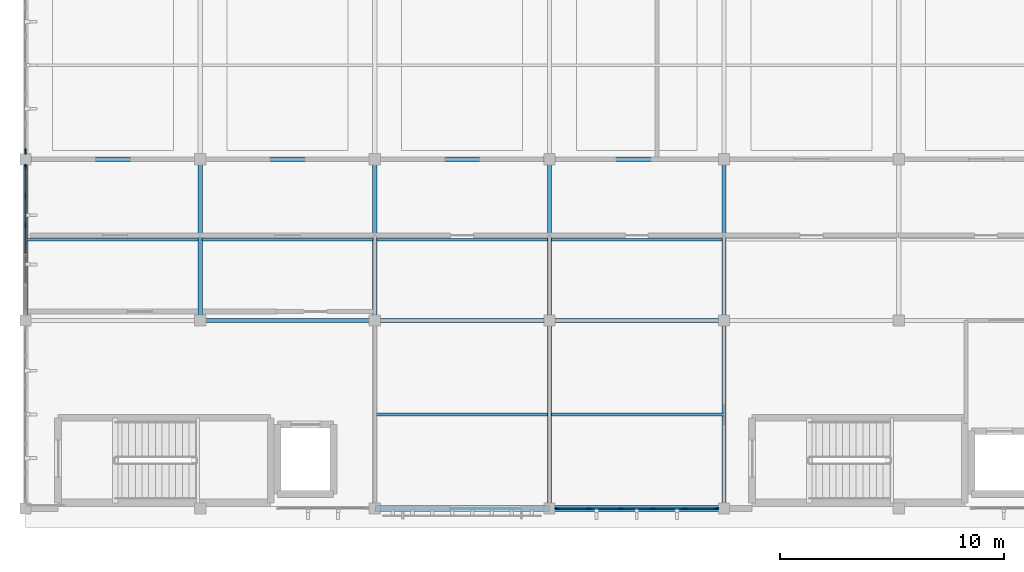
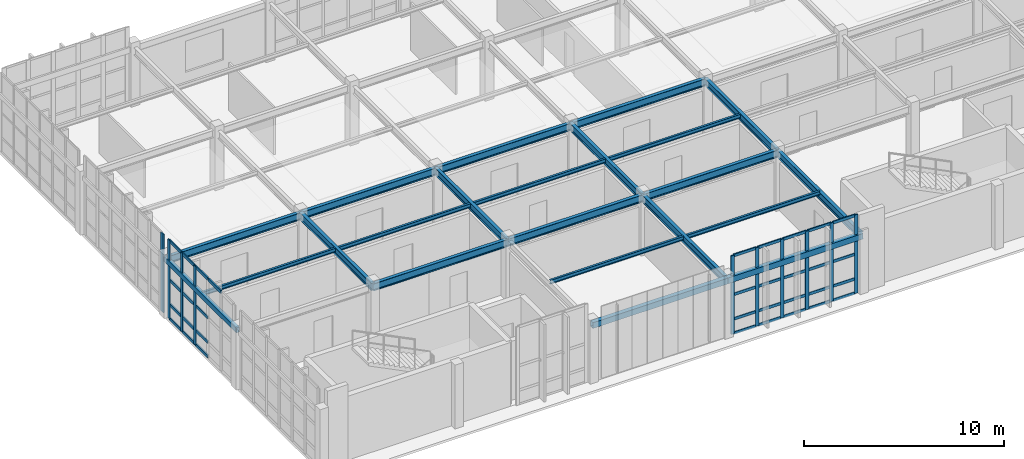
# One storey, part 2 of 20: 43 members, 22 beams, 3 elements without a shape of their own.
"""IFC4 building model written with IfcOpenShell, lengths in metres."""

import ifcopenshell
import ifcopenshell.guid

model = None  # the IFC model being written
_history = None  # IfcOwnerHistory: only IFC2X3 demands one
_inside = {}  # id of a spatial element -> (the spatial element, [elements in it])
_under = {}  # id of a project, library or spatial element -> (it, [spatial elements below it])
_declared = {}  # id of a project -> (the project, [libraries it declares])
_typed = {}  # id of a type object -> (the type object, [elements of that type])
_made_of = {}  # id of a material, layer set ... -> (it, [elements and type objects made of it])


def new_model(schema):
    """Start an empty IFC model of exactly this schema.

    Asked for "IFC4X3", IfcOpenShell would pick the latest addendum, in which some entities
    have other attributes; the version numbers below select the first issue.
    IFC2X3 requires an IfcOwnerHistory on every rooted entity: one is made here for all.
    """
    global model, _history
    if schema == "IFC4X3":
        model = ifcopenshell.file(schema_version=(4, 3, 0, 0))
    else:
        model = ifcopenshell.file(schema=schema)
    _inside.clear()
    _under.clear()
    _declared.clear()
    _typed.clear()
    _made_of.clear()
    _history = None
    if model.schema == "IFC2X3":
        org = make("IfcOrganization", Name="unknown")
        user = make(
            "IfcPersonAndOrganization",
            ThePerson=make("IfcPerson", FamilyName="unknown"),
            TheOrganization=org,
        )
        app = make(
            "IfcApplication",
            ApplicationDeveloper=org,
            Version="unknown",
            ApplicationFullName="unknown",
            ApplicationIdentifier="unknown",
        )
        _history = make(
            "IfcOwnerHistory",
            OwningUser=user,
            OwningApplication=app,
            ChangeAction="ADDED",
            CreationDate=0,
        )
    return model


def make(cls, **values):
    """One entity of the class cls with the attributes given. An attribute that is None is left unset."""
    return model.create_entity(
        cls, **{name: value for name, value in values.items() if value is not None}
    )


def rooted(cls, **values):
    """An entity with a GlobalId (a new one), such as an element, a storey or a relation."""
    return make(cls, GlobalId=ifcopenshell.guid.new(), OwnerHistory=_history, **values)


def si_unit(unit_type, name, prefix=None):
    """IfcSIUnit, for example si_unit("LENGTHUNIT", "METRE", prefix="MILLI")."""
    return make("IfcSIUnit", UnitType=unit_type, Prefix=prefix, Name=name)


def assignment(units):
    """IfcUnitAssignment: the units of a project."""
    return None if units is None else make("IfcUnitAssignment", Units=units)


def point(xyz):
    """IfcCartesianPoint."""
    return None if xyz is None else make("IfcCartesianPoint", Coordinates=xyz)


def direction(xyz):
    """IfcDirection."""
    return None if xyz is None else make("IfcDirection", DirectionRatios=xyz)


def frame(location, z_axis=None, x_axis=None):
    """IfcAxis2Placement3D, a coordinate frame: its origin and axes. An axis left out is left unset."""
    return make(
        "IfcAxis2Placement3D",
        Location=point(location),
        Axis=direction(z_axis),
        RefDirection=direction(x_axis),
    )


def frame_2d(location, x_axis=None):
    """IfcAxis2Placement2D, a coordinate frame in the plane: its origin and x axis."""
    return make(
        "IfcAxis2Placement2D", Location=point(location), RefDirection=direction(x_axis)
    )


def origin():
    """The frame at (0, 0, 0) with its axes left unset."""
    return frame((0.0, 0.0, 0.0))


def origin_2d():
    """The frame at (0, 0) in the plane with its x axis left unset."""
    return frame_2d((0.0, 0.0))


def place(relative_to, where):
    """IfcLocalPlacement: puts the frame where relative to a parent placement (None: the world)."""
    return make(
        "IfcLocalPlacement", PlacementRelTo=relative_to, RelativePlacement=where
    )


def context(
    kind, dimensions, precision=None, world=None, true_north=None, identifier=None
):
    """IfcGeometricRepresentationContext, for example the 3D "Model" context."""
    return make(
        "IfcGeometricRepresentationContext",
        ContextIdentifier=identifier,
        ContextType=kind,
        CoordinateSpaceDimension=dimensions,
        Precision=precision,
        WorldCoordinateSystem=world,
        TrueNorth=true_north,
    )


def subcontext(parent, identifier, kind, view, scale=None):
    """IfcGeometricRepresentationSubContext, for example "Body" below "Model"."""
    return make(
        "IfcGeometricRepresentationSubContext",
        ContextIdentifier=identifier,
        ContextType=kind,
        ParentContext=parent,
        TargetScale=scale,
        TargetView=view,
    )


def project(units=None, contexts=None):
    """IfcProject with its units and contexts."""
    return rooted(
        "IfcProject",
        Name="project",
        RepresentationContexts=contexts,
        UnitsInContext=assignment(units),
    )


def spatial(cls, under=None, at=None, **own):
    """A site, building, storey or space (cls), placed at a placement, below another one or the project."""
    s = rooted(cls, ObjectPlacement=at, **own)
    if under is not None:
        _under.setdefault(under.id(), (under, []))[1].append(s)
    return s


def profile(cls, at=None, kind="AREA", **sizes):
    """A parametric profile (cls). Its sizes go by their IFC names, for example OverallWidth=200.0."""
    return make(cls, ProfileType=kind, Position=at, **sizes)


def rectangle(**sizes):
    """IfcRectangleProfileDef."""
    return profile("IfcRectangleProfileDef", **sizes)


def hollow_rectangle(**sizes):
    """IfcRectangleHollowProfileDef."""
    return profile("IfcRectangleHollowProfileDef", **sizes)


def i_section(**sizes):
    """IfcIShapeProfileDef."""
    return profile("IfcIShapeProfileDef", **sizes)


def extrude(swept, where, along, depth):
    """IfcExtrudedAreaSolid: the profile swept, set in the frame where, extruded along a direction by depth."""
    return make(
        "IfcExtrudedAreaSolid",
        SweptArea=swept,
        Position=where,
        ExtrudedDirection=direction(along),
        Depth=depth,
    )


def shape(context_of_items, identifier, shape_type, items):
    """IfcShapeRepresentation: the items that make up one representation, for example the "Body"."""
    return make(
        "IfcShapeRepresentation",
        ContextOfItems=context_of_items,
        RepresentationIdentifier=identifier,
        RepresentationType=shape_type,
        Items=items,
    )


def material(Name=None, Category=None):
    """IfcMaterial."""
    return make("IfcMaterial", Name=Name, Category=Category)


def material_profile(
    of_material, cross_section, Name=None, Category=None, Priority=None
):
    """IfcMaterialProfile: a cross section and its material."""
    return make(
        "IfcMaterialProfile",
        Name=Name,
        Material=of_material,
        Profile=cross_section,
        Priority=Priority,
        Category=Category,
    )


def profile_set(profiles, Name=None, composite=None):
    """IfcMaterialProfileSet."""
    return make(
        "IfcMaterialProfileSet",
        Name=Name,
        MaterialProfiles=profiles,
        CompositeProfile=composite,
    )


def made_of(thing, what):
    """Note that an element or type object is made of a material, layer set ...; save() writes the relation."""
    if what is not None:
        _made_of.setdefault(what.id(), (what, []))[1].append(thing)
    return thing


def type_object(cls, material=None, **own):
    """A type object (cls), such as IfcWallType, which elements share."""
    return made_of(rooted(cls, **own), material)


def element(
    cls,
    number,
    at=None,
    inside=None,
    cuts=None,
    type_object=None,
    material=None,
    context=None,
    identifier="Body",
    shape_type=None,
    held_by="IfcProductDefinitionShape",
    body=None,
    shapes=None,
    **own,
):
    """One element of the class cls, such as IfcWall. Its Tag is "e" and its number.

    at: its placement. inside: the storey or other place that contains it. cuts: it is an
    opening in that element (IfcRelVoidsElement). A single representation is given by context,
    identifier, shape_type and body (its items); several are given by shapes. held_by: the class
    of the entity that holds the representations. save() writes the other relations.
    """
    e = rooted(cls, Tag="e%d" % number, ObjectPlacement=at, **own)
    if body is not None:
        shapes = [shape(context, identifier, shape_type, body)]
    if shapes is not None:
        e.Representation = make(held_by, Representations=shapes)
    if inside is not None:
        _inside.setdefault(inside.id(), (inside, []))[1].append(e)
    if cuts is not None:
        rooted(
            "IfcRelVoidsElement", RelatingBuildingElement=cuts, RelatedOpeningElement=e
        )
    if type_object is not None:
        _typed.setdefault(type_object.id(), (type_object, []))[1].append(e)
    return made_of(e, material)


def aggregate(whole, parts):
    """IfcRelAggregates: a whole, such as a stair, and the parts it consists of."""
    return rooted("IfcRelAggregates", RelatingObject=whole, RelatedObjects=parts)


def save(model, path):
    """Write the relations noted so far, then the file.

    IfcRelAggregates (storeys below a building ...), IfcRelContainedInSpatialStructure (elements
    in a storey), IfcRelDefinesByType, IfcRelAssociatesMaterial and IfcRelDeclares: one each for
    every whole, place, type object, material and project.
    """
    for whole, parts in _under.values():
        aggregate(whole, parts)
    for where, things in _inside.values():
        rooted(
            "IfcRelContainedInSpatialStructure",
            RelatedElements=things,
            RelatingStructure=where,
        )
    for kind, things in _typed.values():
        rooted("IfcRelDefinesByType", RelatedObjects=things, RelatingType=kind)
    for what, things in _made_of.values():
        rooted("IfcRelAssociatesMaterial", RelatedObjects=things, RelatingMaterial=what)
    for by, libraries in _declared.values():
        rooted("IfcRelDeclares", RelatingContext=by, RelatedDefinitions=libraries)
    model.write(path)


model = new_model("IFC4")

# Units and contexts
model_context = context("Model", 3, precision=1e-05, world=origin(), true_north=direction((0.0, 1.0)))
body_context = subcontext(model_context, "Body", "Model", "MODEL_VIEW")
ifc_project = project(units=[si_unit("LENGTHUNIT", "METRE"), si_unit("AREAUNIT", "SQUARE_METRE"), si_unit("VOLUMEUNIT", "CUBIC_METRE"), si_unit("PLANEANGLEUNIT", "RADIAN"), si_unit("MASSUNIT", "GRAM", prefix="KILO")], contexts=[model_context])

# Site, building, storey
site_placement = place(None, origin())
site = spatial("IfcSite", under=ifc_project, at=site_placement, CompositionType="ELEMENT")
building_placement = place(site_placement, origin())
building = spatial("IfcBuilding", under=site, at=building_placement, Name="Tizgana Railside Sports Hall", CompositionType="ELEMENT")
storey_placement = place(building_placement, frame((0.0, 0.0, 19.800048828125)))
storey = spatial("IfcBuildingStorey", under=building, at=storey_placement, Name="L04", CompositionType="ELEMENT", Elevation=19.800048828125)

# Curtain wall, members
ifc_material_1 = material(Name="Anodised aluminium and glass", Category="aluminium")
curtain_wall_type_1 = type_object("IfcCurtainWallType", Name="Unitised Curtain Wall EastHall 1500", PredefinedType="NOTDEFINED", material=ifc_material_1)
curtain_wall_1_placement = place(storey_placement, origin())
curtain_wall_1 = element("IfcCurtainWall", 1, at=curtain_wall_1_placement, inside=storey, type_object=curtain_wall_type_1, Name="L04 Curtain Wall CW-0135", PredefinedType="NOTDEFINED")
ifc_material_2 = material(Name="Anodised aluminium", Category="aluminium")
ifc_material_profile_1 = material_profile(ifc_material_2, rectangle(XDim=0.06494140625, YDim=0.199951171875, at=origin_2d()), Name="Mullion 65x200")
ifc_profile_set_1 = profile_set([ifc_material_profile_1], Name="Anodised aluminium")
member_type_1 = type_object("IfcMemberType", Name="Mullion 65x200", PredefinedType="MULLION", material=ifc_profile_set_1)
member_1_placement = place(storey_placement, frame((38.66259765625, 0.0, 0.0), z_axis=(0.0, 0.0, 1.0), x_axis=(0.0, -1.0, 0.0)))
member_1 = element("IfcMember", 2, at=member_1_placement, type_object=member_type_1, Name="CW-08 mullion 1", PredefinedType="MULLION", context=body_context, shape_type="SweptSolid", body=[
    extrude(rectangle(XDim=0.06494140625, YDim=0.199951171875, at=origin_2d()), origin(), (0.0, 0.0, 1.0), 4.800048828125),
])
member_2_placement = place(storey_placement, frame((37.257080078125, 0.0, 0.0), z_axis=(0.0, 0.0, 1.0), x_axis=(0.0, -1.0, 0.0)))
member_2 = element("IfcMember", 3, at=member_2_placement, type_object=member_type_1, Name="CW-08 mullion 2", PredefinedType="MULLION", context=body_context, shape_type="SweptSolid", body=[
    extrude(rectangle(XDim=0.06494140625, YDim=0.199951171875, at=origin_2d()), origin(), (0.0, 0.0, 1.0), 4.800048828125),
])
member_3_placement = place(storey_placement, frame((35.819091796875, 0.0, 0.0), z_axis=(0.0, 0.0, 1.0), x_axis=(0.0, -1.0, 0.0)))
member_3 = element("IfcMember", 4, at=member_3_placement, type_object=member_type_1, Name="CW-08 mullion 3", PredefinedType="MULLION", context=body_context, shape_type="SweptSolid", body=[
    extrude(rectangle(XDim=0.06494140625, YDim=0.199951171875, at=origin_2d()), origin(), (0.0, 0.0, 1.0), 4.800048828125),
])
member_4_placement = place(storey_placement, frame((34.381103515625, 0.0, 0.0), z_axis=(0.0, 0.0, 1.0), x_axis=(0.0, -1.0, 0.0)))
member_4 = element("IfcMember", 5, at=member_4_placement, type_object=member_type_1, Name="CW-08 mullion 4", PredefinedType="MULLION", context=body_context, shape_type="SweptSolid", body=[
    extrude(rectangle(XDim=0.06494140625, YDim=0.199951171875, at=origin_2d()), origin(), (0.0, 0.0, 1.0), 4.800048828125),
])
member_5_placement = place(storey_placement, frame((32.943115234375, 0.0, 0.0), z_axis=(0.0, 0.0, 1.0), x_axis=(0.0, -1.0, 0.0)))
member_5 = element("IfcMember", 6, at=member_5_placement, type_object=member_type_1, Name="CW-08 mullion 5", PredefinedType="MULLION", context=body_context, shape_type="SweptSolid", body=[
    extrude(rectangle(XDim=0.06494140625, YDim=0.199951171875, at=origin_2d()), origin(), (0.0, 0.0, 1.0), 4.800048828125),
])
member_6_placement = place(storey_placement, frame((31.53759765625, 0.0, 0.0), z_axis=(0.0, 0.0, 1.0), x_axis=(0.0, -1.0, 0.0)))
member_6 = element("IfcMember", 7, at=member_6_placement, type_object=member_type_1, Name="CW-08 mullion 6", PredefinedType="MULLION", context=body_context, shape_type="SweptSolid", body=[
    extrude(rectangle(XDim=0.06494140625, YDim=0.199951171875, at=origin_2d()), origin(), (0.0, 0.0, 1.0), 4.800048828125),
])

curtain_wall_type_2 = type_object("IfcCurtainWallType", Name="Unitised Curtain Wall WestHall 1560", PredefinedType="NOTDEFINED", material=ifc_material_1)
curtain_wall_2_placement = place(storey_placement, origin())
curtain_wall_2 = element("IfcCurtainWall", 8, at=curtain_wall_2_placement, inside=storey, type_object=curtain_wall_type_2, Name="L04 Curtain Wall CW-0142", PredefinedType="NOTDEFINED")
ifc_material_profile_2 = material_profile(ifc_material_2, rectangle(XDim=0.070068359375, YDim=0.219970703125, at=origin_2d()), Name="Mullion 70x220")
ifc_profile_set_2 = profile_set([ifc_material_profile_2], Name="Anodised aluminium")
member_type_2 = type_object("IfcMemberType", Name="Mullion 70x220", PredefinedType="MULLION", material=ifc_profile_set_2)
member_7_placement = place(storey_placement, frame((7.800048828125, 15.260009765625, 0.0), z_axis=(0.0, 0.0, 1.0), x_axis=(1.0, 0.0, 0.0)))
member_7 = element("IfcMember", 9, at=member_7_placement, type_object=member_type_2, Name="CW-07 mullion 1", PredefinedType="MULLION", context=body_context, shape_type="SweptSolid", body=[
    extrude(rectangle(XDim=0.070068359375, YDim=0.219970703125, at=origin_2d()), origin(), (0.0, 0.0, 1.0), 4.800048828125),
])
member_8_placement = place(storey_placement, frame((7.800048828125, 13.97705078125, 0.0), z_axis=(0.0, 0.0, 1.0), x_axis=(1.0, 0.0, 0.0)))
member_8 = element("IfcMember", 10, at=member_8_placement, type_object=member_type_2, Name="CW-07 mullion 2", PredefinedType="MULLION", context=body_context, shape_type="SweptSolid", body=[
    extrude(rectangle(XDim=0.070068359375, YDim=0.219970703125, at=origin_2d()), origin(), (0.0, 0.0, 1.0), 4.800048828125),
])
member_9_placement = place(storey_placement, frame((7.800048828125, 12.658935546875, 0.0), z_axis=(0.0, 0.0, 1.0), x_axis=(1.0, 0.0, 0.0)))
member_9 = element("IfcMember", 11, at=member_9_placement, type_object=member_type_2, Name="CW-07 mullion 3", PredefinedType="MULLION", context=body_context, shape_type="SweptSolid", body=[
    extrude(rectangle(XDim=0.070068359375, YDim=0.219970703125, at=origin_2d()), origin(), (0.0, 0.0, 1.0), 4.800048828125),
])

# Curtain wall, member
curtain_wall_3_placement = place(storey_placement, origin())
curtain_wall_3 = element("IfcCurtainWall", 12, at=curtain_wall_3_placement, inside=storey, type_object=curtain_wall_type_1, Name="L04 Curtain Wall CW-0143", PredefinedType="NOTDEFINED")
ifc_material_profile_3 = material_profile(ifc_material_2, rectangle(XDim=0.074951171875, YDim=0.25, at=origin_2d()), Name="Mullion 75x250")
ifc_profile_set_3 = profile_set([ifc_material_profile_3], Name="Anodised aluminium")
member_type_3 = type_object("IfcMemberType", Name="Mullion 75x250", PredefinedType="MULLION", material=ifc_profile_set_3)
member_10_placement = place(storey_placement, frame((7.800048828125, 15.9423828125, 0.0), z_axis=(0.0, 0.0, 1.0), x_axis=(1.0, 0.0, 0.0)))
member_10 = element("IfcMember", 13, at=member_10_placement, type_object=member_type_3, Name="CW-08 mullion 7", PredefinedType="MULLION", context=body_context, shape_type="SweptSolid", body=[
    extrude(rectangle(XDim=0.074951171875, YDim=0.25, at=origin_2d()), origin(), (0.0, 0.0, 1.0), 4.800048828125),
])
aggregate(curtain_wall_3, [member_10])

# Beams
ifc_material_3 = material(Name="Steel S355J2", Category="steel")
ifc_material_profile_4 = material_profile(ifc_material_3, i_section(OverallWidth=0.18994140625, OverallDepth=0.449951171875, WebThickness=0.009521484375, FlangeThickness=0.0146484375, FilletRadius=0.02099609375, at=origin_2d()), Name="IPE 450")
ifc_profile_set_4 = profile_set([ifc_material_profile_4], Name="Steel S355J2")
beam_type_1 = type_object("IfcBeamType", Name="Steel Beam IPE 450", PredefinedType="BEAM", material=ifc_profile_set_4)
for number, where, z_axis, x_axis, name in (
    (14, (15.60009765625, 8.39990234375, 3.370849609375), (0.0, 1.0, 0.0), (-1.0, 0.0, 0.0), "L04 BEM-0789"),
    (15, (23.39990234375, 8.39990234375, 3.370849609375), (0.0, 1.0, 0.0), (-1.0, 0.0, 0.0), "L04 BEM-0793"),
):
    element("IfcBeam", number, at=place(storey_placement, frame(where, z_axis=z_axis, x_axis=x_axis)), inside=storey, type_object=beam_type_1, Name=name, PredefinedType="BEAM", context=body_context, shape_type="SweptSolid", body=[
        extrude(i_section(OverallWidth=0.18994140625, OverallDepth=0.449951171875, WebThickness=0.009521484375, FlangeThickness=0.0146484375, FilletRadius=0.02099609375, at=origin_2d()), origin(), (0.0, 0.0, 1.0), 7.2001953125),
    ])
beam_1_placement = place(storey_placement, frame((31.199951171875, 0.0, 3.370849609375), z_axis=(0.0, 1.0, 0.0), x_axis=(-1.0, 0.0, 0.0)))
element("IfcBeam", 16, at=beam_1_placement, inside=storey, type_object=beam_type_1, Name="L04 BEM-0796", PredefinedType="BEAM", context=body_context, shape_type="SweptSolid", body=[
    extrude(i_section(OverallWidth=0.18994140625, OverallDepth=0.449951171875, WebThickness=0.009521484375, FlangeThickness=0.0146484375, FilletRadius=0.02099609375, at=origin_2d()), origin(), (0.0, 0.0, 1.0), 8.39990234375),
])
beam_2_placement = place(storey_placement, frame((31.199951171875, 8.39990234375, 3.370849609375), z_axis=(0.0, 1.0, 0.0), x_axis=(-1.0, 0.0, 0.0)))
element("IfcBeam", 17, at=beam_2_placement, inside=storey, type_object=beam_type_1, Name="L04 BEM-0797", PredefinedType="BEAM", context=body_context, shape_type="SweptSolid", body=[
    extrude(i_section(OverallWidth=0.18994140625, OverallDepth=0.449951171875, WebThickness=0.009521484375, FlangeThickness=0.0146484375, FilletRadius=0.02099609375, at=origin_2d()), origin(), (0.0, 0.0, 1.0), 7.2001953125),
])
beam_3_placement = place(storey_placement, frame((39.0, 0.0, 3.370849609375), z_axis=(0.0, 1.0, 0.0), x_axis=(-1.0, 0.0, 0.0)))
element("IfcBeam", 18, at=beam_3_placement, inside=storey, type_object=beam_type_1, Name="L04 BEM-0800", PredefinedType="BEAM", context=body_context, shape_type="SweptSolid", body=[
    extrude(i_section(OverallWidth=0.18994140625, OverallDepth=0.449951171875, WebThickness=0.009521484375, FlangeThickness=0.0146484375, FilletRadius=0.02099609375, at=origin_2d()), origin(), (0.0, 0.0, 1.0), 8.39990234375),
])
beam_4_placement = place(storey_placement, frame((39.0, 8.39990234375, 3.370849609375), z_axis=(0.0, 1.0, 0.0), x_axis=(-1.0, 0.0, 0.0)))
element("IfcBeam", 19, at=beam_4_placement, inside=storey, type_object=beam_type_1, Name="L04 BEM-0801", PredefinedType="BEAM", context=body_context, shape_type="SweptSolid", body=[
    extrude(i_section(OverallWidth=0.18994140625, OverallDepth=0.449951171875, WebThickness=0.009521484375, FlangeThickness=0.0146484375, FilletRadius=0.02099609375, at=origin_2d()), origin(), (0.0, 0.0, 1.0), 7.2001953125),
])
beam_5_placement = place(storey_placement, frame((7.800048828125, 15.60009765625, 3.370849609375), z_axis=(1.0, 0.0, 0.0), x_axis=(0.0, 1.0, 0.0)))
element("IfcBeam", 20, at=beam_5_placement, inside=storey, type_object=beam_type_1, Name="L04 BEM-0815", PredefinedType="BEAM", context=body_context, shape_type="SweptSolid", body=[
    extrude(i_section(OverallWidth=0.18994140625, OverallDepth=0.449951171875, WebThickness=0.009521484375, FlangeThickness=0.0146484375, FilletRadius=0.02099609375, at=origin_2d()), origin(), (0.0, 0.0, 1.0), 7.800048828125),
])
for number, where, z_axis, x_axis, name in (
    (21, (15.60009765625, 8.39990234375, 3.370849609375), (1.0, 0.0, 0.0), (0.0, 1.0, 0.0), "L04 BEM-0821"),
    (22, (15.60009765625, 15.60009765625, 3.370849609375), (1.0, 0.0, 0.0), (0.0, 1.0, 0.0), "L04 BEM-0822"),
):
    element("IfcBeam", number, at=place(storey_placement, frame(where, z_axis=z_axis, x_axis=x_axis)), inside=storey, type_object=beam_type_1, Name=name, PredefinedType="BEAM", context=body_context, shape_type="SweptSolid", body=[
        extrude(i_section(OverallWidth=0.18994140625, OverallDepth=0.449951171875, WebThickness=0.009521484375, FlangeThickness=0.0146484375, FilletRadius=0.02099609375, at=origin_2d()), origin(), (0.0, 0.0, 1.0), 7.7998046875),
    ])
for number, where, z_axis, x_axis, name in (
    (23, (23.39990234375, 8.39990234375, 3.370849609375), (1.0, 0.0, 0.0), (0.0, 1.0, 0.0), "L04 BEM-0829"),
    (24, (23.39990234375, 15.60009765625, 3.370849609375), (1.0, 0.0, 0.0), (0.0, 1.0, 0.0), "L04 BEM-0830"),
    (25, (31.199951171875, 8.39990234375, 3.370849609375), (1.0, 0.0, 0.0), (0.0, 1.0, 0.0), "L04 BEM-0838"),
    (26, (31.199951171875, 15.60009765625, 3.370849609375), (1.0, 0.0, 0.0), (0.0, 1.0, 0.0), "L04 BEM-0839"),
):
    element("IfcBeam", number, at=place(storey_placement, frame(where, z_axis=z_axis, x_axis=x_axis)), inside=storey, type_object=beam_type_1, Name=name, PredefinedType="BEAM", context=body_context, shape_type="SweptSolid", body=[
        extrude(i_section(OverallWidth=0.18994140625, OverallDepth=0.449951171875, WebThickness=0.009521484375, FlangeThickness=0.0146484375, FilletRadius=0.02099609375, at=origin_2d()), origin(), (0.0, 0.0, 1.0), 7.800048828125),
    ])
ifc_material_profile_5 = material_profile(ifc_material_3, i_section(OverallWidth=0.1201171875, OverallDepth=0.239990234375, WebThickness=0.006103515625, FlangeThickness=0.009765625, FilletRadius=0.014892578125, at=origin_2d()), Name="IPE 240")
ifc_profile_set_5 = profile_set([ifc_material_profile_5], Name="Steel S355J2")
beam_type_2 = type_object("IfcBeamType", Name="Steel Joist IPE 240", PredefinedType="JOIST", material=ifc_profile_set_5)
beam_6_placement = place(storey_placement, frame((7.800048828125, 12.0, 3.47998046875), z_axis=(1.0, 0.0, 0.0), x_axis=(0.0, 1.0, 0.0)))
element("IfcBeam", 27, at=beam_6_placement, inside=storey, type_object=beam_type_2, Name="L04 BEM-0818", PredefinedType="JOIST", context=body_context, shape_type="SweptSolid", body=[
    extrude(i_section(OverallWidth=0.1201171875, OverallDepth=0.239990234375, WebThickness=0.006103515625, FlangeThickness=0.009765625, FilletRadius=0.014892578125, at=origin_2d()), origin(), (0.0, 0.0, 1.0), 7.7099609375),
])
beam_7_placement = place(storey_placement, frame((15.68994140625, 12.0, 3.475830078125), z_axis=(1.0, 0.0, 0.0), x_axis=(0.0, 1.0, 0.0)))
element("IfcBeam", 28, at=beam_7_placement, inside=storey, type_object=beam_type_2, Name="L04 BEM-0825", PredefinedType="JOIST", context=body_context, shape_type="SweptSolid", body=[
    extrude(i_section(OverallWidth=0.1201171875, OverallDepth=0.239990234375, WebThickness=0.006103515625, FlangeThickness=0.009765625, FilletRadius=0.014892578125, at=origin_2d()), origin(), (0.0, 0.0, 1.0), 7.6201171875),
])
beam_8_placement = place(storey_placement, frame((23.39990234375, 4.199951171875, 3.475830078125), z_axis=(1.0, 0.0, 0.0), x_axis=(0.0, 1.0, 0.0)))
element("IfcBeam", 29, at=beam_8_placement, inside=storey, type_object=beam_type_2, Name="L04 BEM-0833", PredefinedType="JOIST", context=body_context, shape_type="SweptSolid", body=[
    extrude(i_section(OverallWidth=0.1201171875, OverallDepth=0.239990234375, WebThickness=0.006103515625, FlangeThickness=0.009765625, FilletRadius=0.014892578125, at=origin_2d()), origin(), (0.0, 0.0, 1.0), 7.710205078125),
])
beam_9_placement = place(storey_placement, frame((23.489990234375, 12.0, 3.475830078125), z_axis=(1.0, 0.0, 0.0), x_axis=(0.0, 1.0, 0.0)))
element("IfcBeam", 30, at=beam_9_placement, inside=storey, type_object=beam_type_2, Name="L04 BEM-0834", PredefinedType="JOIST", context=body_context, shape_type="SweptSolid", body=[
    extrude(i_section(OverallWidth=0.1201171875, OverallDepth=0.239990234375, WebThickness=0.006103515625, FlangeThickness=0.009765625, FilletRadius=0.014892578125, at=origin_2d()), origin(), (0.0, 0.0, 1.0), 7.6201171875),
])
beam_10_placement = place(storey_placement, frame((31.2900390625, 4.199951171875, 3.475830078125), z_axis=(1.0, 0.0, 0.0), x_axis=(0.0, 1.0, 0.0)))
element("IfcBeam", 31, at=beam_10_placement, inside=storey, type_object=beam_type_2, Name="L04 BEM-0842", PredefinedType="JOIST", context=body_context, shape_type="SweptSolid", body=[
    extrude(i_section(OverallWidth=0.1201171875, OverallDepth=0.239990234375, WebThickness=0.006103515625, FlangeThickness=0.009765625, FilletRadius=0.014892578125, at=origin_2d()), origin(), (0.0, 0.0, 1.0), 7.7099609375),
])
beam_11_placement = place(storey_placement, frame((31.2900390625, 12.0, 3.475830078125), z_axis=(1.0, 0.0, 0.0), x_axis=(0.0, 1.0, 0.0)))
element("IfcBeam", 32, at=beam_11_placement, inside=storey, type_object=beam_type_2, Name="L04 BEM-0843", PredefinedType="JOIST", context=body_context, shape_type="SweptSolid", body=[
    extrude(i_section(OverallWidth=0.1201171875, OverallDepth=0.239990234375, WebThickness=0.006103515625, FlangeThickness=0.009765625, FilletRadius=0.014892578125, at=origin_2d()), origin(), (0.0, 0.0, 1.0), 7.619873046875),
])
ifc_material_profile_6 = material_profile(ifc_material_3, hollow_rectangle(XDim=0.199951171875, YDim=0.300048828125, WallThickness=0.010009765625, at=origin_2d()), Name="RHS 300x200x10")
ifc_profile_set_6 = profile_set([ifc_material_profile_6], Name="Steel S355J2")
beam_type_3 = type_object("IfcBeamType", Name="Steel Spandrel RHS 300x200x10", PredefinedType="SPANDREL", material=ifc_profile_set_6)
beam_12_placement = place(storey_placement, frame((7.800048828125, 8.39990234375, 3.449951171875), z_axis=(0.0, 1.0, 0.0), x_axis=(-1.0, 0.0, 0.0)))
element("IfcBeam", 33, at=beam_12_placement, inside=storey, type_object=beam_type_3, Name="L04 BEM-0786", PredefinedType="SPANDREL", context=body_context, shape_type="SweptSolid", body=[
    extrude(hollow_rectangle(XDim=0.199951171875, YDim=0.300048828125, WallThickness=0.010009765625, at=origin_2d()), origin(), (0.0, 0.0, 1.0), 7.2001953125),
])
ifc_material_profile_7 = material_profile(ifc_material_3, hollow_rectangle(XDim=0.25, YDim=0.35009765625, WallThickness=0.011962890625, at=origin_2d()), Name="RHS 350x250x12")
ifc_profile_set_7 = profile_set([ifc_material_profile_7], Name="Steel S355J2")
beam_type_4 = type_object("IfcBeamType", Name="Steel Spandrel RHS 350x250x12", PredefinedType="SPANDREL", material=ifc_profile_set_7)
for number, where, z_axis, x_axis, name in (
    (34, (23.39990234375, 0.0, 3.4208984375), (1.0, 0.0, 0.0), (0.0, 1.0, 0.0), "L04 BEM-0828"),
    (35, (31.199951171875, 0.0, 3.4208984375), (1.0, 0.0, 0.0), (0.0, 1.0, 0.0), "L04 BEM-0837"),
):
    element("IfcBeam", number, at=place(storey_placement, frame(where, z_axis=z_axis, x_axis=x_axis)), inside=storey, type_object=beam_type_4, Name=name, PredefinedType="SPANDREL", context=body_context, shape_type="SweptSolid", body=[
        extrude(hollow_rectangle(XDim=0.25, YDim=0.35009765625, WallThickness=0.011962890625, at=origin_2d()), origin(), (0.0, 0.0, 1.0), 7.800048828125),
    ])

# Member
ifc_material_profile_8 = material_profile(ifc_material_2, rectangle(XDim=0.06494140625, YDim=0.169921875, at=origin_2d()), Name="Transom 65x170")
ifc_profile_set_8 = profile_set([ifc_material_profile_8], Name="Anodised aluminium")
member_type_4 = type_object("IfcMemberType", Name="Transom 65x170", PredefinedType="USERDEFINED", material=ifc_profile_set_8)
member_11_placement = place(storey_placement, frame((38.6298828125, 0.0, 0.032470703125), z_axis=(-1.0, 0.0, 0.0), x_axis=(0.0, -1.0, 0.0)))
member_11 = element("IfcMember", 36, at=member_11_placement, type_object=member_type_4, Name="CW-08 transom 1.1", ObjectType="TRANSOM", PredefinedType="USERDEFINED", context=body_context, shape_type="SweptSolid", body=[
    extrude(rectangle(XDim=0.06494140625, YDim=0.169921875, at=origin_2d()), origin(), (0.0, 0.0, 1.0), 1.34033203125),
])

member_12_placement = place(storey_placement, frame((38.6298828125, 0.0, 0.89990234375), z_axis=(-1.0, 0.0, 0.0), x_axis=(0.0, -1.0, 0.0)))
member_12 = element("IfcMember", 37, at=member_12_placement, type_object=member_type_4, Name="CW-08 transom 1.2", ObjectType="TRANSOM", PredefinedType="USERDEFINED", context=body_context, shape_type="SweptSolid", body=[
    extrude(rectangle(XDim=0.06494140625, YDim=0.169921875, at=origin_2d()), origin(), (0.0, 0.0, 1.0), 1.34033203125),
])

member_13_placement = place(storey_placement, frame((38.6298828125, 0.0, 2.39990234375), z_axis=(-1.0, 0.0, 0.0), x_axis=(0.0, -1.0, 0.0)))
member_13 = element("IfcMember", 38, at=member_13_placement, type_object=member_type_4, Name="CW-08 transom 1.3", ObjectType="TRANSOM", PredefinedType="USERDEFINED", context=body_context, shape_type="SweptSolid", body=[
    extrude(rectangle(XDim=0.06494140625, YDim=0.169921875, at=origin_2d()), origin(), (0.0, 0.0, 1.0), 1.34033203125),
])

member_14_placement = place(storey_placement, frame((38.6298828125, 0.0, 4.767333984375), z_axis=(-1.0, 0.0, 0.0), x_axis=(0.0, -1.0, 0.0)))
member_14 = element("IfcMember", 39, at=member_14_placement, type_object=member_type_4, Name="CW-08 transom 1.4", ObjectType="TRANSOM", PredefinedType="USERDEFINED", context=body_context, shape_type="SweptSolid", body=[
    extrude(rectangle(XDim=0.06494140625, YDim=0.169921875, at=origin_2d()), origin(), (0.0, 0.0, 1.0), 1.34033203125),
])

member_15_placement = place(storey_placement, frame((37.224609375, 0.0, 0.032470703125), z_axis=(-1.0, 0.0, 0.0), x_axis=(0.0, -1.0, 0.0)))
member_15 = element("IfcMember", 40, at=member_15_placement, type_object=member_type_4, Name="CW-08 transom 2.1", ObjectType="TRANSOM", PredefinedType="USERDEFINED", context=body_context, shape_type="SweptSolid", body=[
    extrude(rectangle(XDim=0.06494140625, YDim=0.169921875, at=origin_2d()), origin(), (0.0, 0.0, 1.0), 1.373046875),
])

member_16_placement = place(storey_placement, frame((37.224609375, 0.0, 0.89990234375), z_axis=(-1.0, 0.0, 0.0), x_axis=(0.0, -1.0, 0.0)))
member_16 = element("IfcMember", 41, at=member_16_placement, type_object=member_type_4, Name="CW-08 transom 2.2", ObjectType="TRANSOM", PredefinedType="USERDEFINED", context=body_context, shape_type="SweptSolid", body=[
    extrude(rectangle(XDim=0.06494140625, YDim=0.169921875, at=origin_2d()), origin(), (0.0, 0.0, 1.0), 1.373046875),
])

member_17_placement = place(storey_placement, frame((37.224609375, 0.0, 2.39990234375), z_axis=(-1.0, 0.0, 0.0), x_axis=(0.0, -1.0, 0.0)))
member_17 = element("IfcMember", 42, at=member_17_placement, type_object=member_type_4, Name="CW-08 transom 2.3", ObjectType="TRANSOM", PredefinedType="USERDEFINED", context=body_context, shape_type="SweptSolid", body=[
    extrude(rectangle(XDim=0.06494140625, YDim=0.169921875, at=origin_2d()), origin(), (0.0, 0.0, 1.0), 1.373046875),
])

member_18_placement = place(storey_placement, frame((37.224609375, 0.0, 4.767333984375), z_axis=(-1.0, 0.0, 0.0), x_axis=(0.0, -1.0, 0.0)))
member_18 = element("IfcMember", 43, at=member_18_placement, type_object=member_type_4, Name="CW-08 transom 2.4", ObjectType="TRANSOM", PredefinedType="USERDEFINED", context=body_context, shape_type="SweptSolid", body=[
    extrude(rectangle(XDim=0.06494140625, YDim=0.169921875, at=origin_2d()), origin(), (0.0, 0.0, 1.0), 1.373046875),
])

member_19_placement = place(storey_placement, frame((35.78662109375, 0.0, 0.032470703125), z_axis=(-1.0, 0.0, 0.0), x_axis=(0.0, -1.0, 0.0)))
member_19 = element("IfcMember", 44, at=member_19_placement, type_object=member_type_4, Name="CW-08 transom 3.1", ObjectType="TRANSOM", PredefinedType="USERDEFINED", context=body_context, shape_type="SweptSolid", body=[
    extrude(rectangle(XDim=0.06494140625, YDim=0.169921875, at=origin_2d()), origin(), (0.0, 0.0, 1.0), 1.373046875),
])

member_20_placement = place(storey_placement, frame((35.78662109375, 0.0, 0.89990234375), z_axis=(-1.0, 0.0, 0.0), x_axis=(0.0, -1.0, 0.0)))
member_20 = element("IfcMember", 45, at=member_20_placement, type_object=member_type_4, Name="CW-08 transom 3.2", ObjectType="TRANSOM", PredefinedType="USERDEFINED", context=body_context, shape_type="SweptSolid", body=[
    extrude(rectangle(XDim=0.06494140625, YDim=0.169921875, at=origin_2d()), origin(), (0.0, 0.0, 1.0), 1.373046875),
])

member_21_placement = place(storey_placement, frame((35.78662109375, 0.0, 2.39990234375), z_axis=(-1.0, 0.0, 0.0), x_axis=(0.0, -1.0, 0.0)))
member_21 = element("IfcMember", 46, at=member_21_placement, type_object=member_type_4, Name="CW-08 transom 3.3", ObjectType="TRANSOM", PredefinedType="USERDEFINED", context=body_context, shape_type="SweptSolid", body=[
    extrude(rectangle(XDim=0.06494140625, YDim=0.169921875, at=origin_2d()), origin(), (0.0, 0.0, 1.0), 1.373046875),
])

member_22_placement = place(storey_placement, frame((35.78662109375, 0.0, 4.767333984375), z_axis=(-1.0, 0.0, 0.0), x_axis=(0.0, -1.0, 0.0)))
member_22 = element("IfcMember", 47, at=member_22_placement, type_object=member_type_4, Name="CW-08 transom 3.4", ObjectType="TRANSOM", PredefinedType="USERDEFINED", context=body_context, shape_type="SweptSolid", body=[
    extrude(rectangle(XDim=0.06494140625, YDim=0.169921875, at=origin_2d()), origin(), (0.0, 0.0, 1.0), 1.373046875),
])

member_23_placement = place(storey_placement, frame((34.348388671875, 0.0, 0.032470703125), z_axis=(-1.0, 0.0, 0.0), x_axis=(0.0, -1.0, 0.0)))
member_23 = element("IfcMember", 48, at=member_23_placement, type_object=member_type_4, Name="CW-08 transom 4.1", ObjectType="TRANSOM", PredefinedType="USERDEFINED", context=body_context, shape_type="SweptSolid", body=[
    extrude(rectangle(XDim=0.06494140625, YDim=0.169921875, at=origin_2d()), origin(), (0.0, 0.0, 1.0), 1.372802734375),
])

member_24_placement = place(storey_placement, frame((34.348388671875, 0.0, 0.89990234375), z_axis=(-1.0, 0.0, 0.0), x_axis=(0.0, -1.0, 0.0)))
member_24 = element("IfcMember", 49, at=member_24_placement, type_object=member_type_4, Name="CW-08 transom 4.2", ObjectType="TRANSOM", PredefinedType="USERDEFINED", context=body_context, shape_type="SweptSolid", body=[
    extrude(rectangle(XDim=0.06494140625, YDim=0.169921875, at=origin_2d()), origin(), (0.0, 0.0, 1.0), 1.372802734375),
])

member_25_placement = place(storey_placement, frame((34.348388671875, 0.0, 2.39990234375), z_axis=(-1.0, 0.0, 0.0), x_axis=(0.0, -1.0, 0.0)))
member_25 = element("IfcMember", 50, at=member_25_placement, type_object=member_type_4, Name="CW-08 transom 4.3", ObjectType="TRANSOM", PredefinedType="USERDEFINED", context=body_context, shape_type="SweptSolid", body=[
    extrude(rectangle(XDim=0.06494140625, YDim=0.169921875, at=origin_2d()), origin(), (0.0, 0.0, 1.0), 1.372802734375),
])

member_26_placement = place(storey_placement, frame((34.348388671875, 0.0, 4.767333984375), z_axis=(-1.0, 0.0, 0.0), x_axis=(0.0, -1.0, 0.0)))
member_26 = element("IfcMember", 51, at=member_26_placement, type_object=member_type_4, Name="CW-08 transom 4.4", ObjectType="TRANSOM", PredefinedType="USERDEFINED", context=body_context, shape_type="SweptSolid", body=[
    extrude(rectangle(XDim=0.06494140625, YDim=0.169921875, at=origin_2d()), origin(), (0.0, 0.0, 1.0), 1.372802734375),
])

member_27_placement = place(storey_placement, frame((32.910400390625, 0.0, 0.032470703125), z_axis=(-1.0, 0.0, 0.0), x_axis=(0.0, -1.0, 0.0)))
member_27 = element("IfcMember", 52, at=member_27_placement, type_object=member_type_4, Name="CW-08 transom 5.1", ObjectType="TRANSOM", PredefinedType="USERDEFINED", context=body_context, shape_type="SweptSolid", body=[
    extrude(rectangle(XDim=0.06494140625, YDim=0.169921875, at=origin_2d()), origin(), (0.0, 0.0, 1.0), 1.34033203125),
])

member_28_placement = place(storey_placement, frame((32.910400390625, 0.0, 0.89990234375), z_axis=(-1.0, 0.0, 0.0), x_axis=(0.0, -1.0, 0.0)))
member_28 = element("IfcMember", 53, at=member_28_placement, type_object=member_type_4, Name="CW-08 transom 5.2", ObjectType="TRANSOM", PredefinedType="USERDEFINED", context=body_context, shape_type="SweptSolid", body=[
    extrude(rectangle(XDim=0.06494140625, YDim=0.169921875, at=origin_2d()), origin(), (0.0, 0.0, 1.0), 1.34033203125),
])

member_29_placement = place(storey_placement, frame((32.910400390625, 0.0, 2.39990234375), z_axis=(-1.0, 0.0, 0.0), x_axis=(0.0, -1.0, 0.0)))
member_29 = element("IfcMember", 54, at=member_29_placement, type_object=member_type_4, Name="CW-08 transom 5.3", ObjectType="TRANSOM", PredefinedType="USERDEFINED", context=body_context, shape_type="SweptSolid", body=[
    extrude(rectangle(XDim=0.06494140625, YDim=0.169921875, at=origin_2d()), origin(), (0.0, 0.0, 1.0), 1.34033203125),
])

member_30_placement = place(storey_placement, frame((32.910400390625, 0.0, 4.767333984375), z_axis=(-1.0, 0.0, 0.0), x_axis=(0.0, -1.0, 0.0)))
member_30 = element("IfcMember", 55, at=member_30_placement, type_object=member_type_4, Name="CW-08 transom 5.4", ObjectType="TRANSOM", PredefinedType="USERDEFINED", context=body_context, shape_type="SweptSolid", body=[
    extrude(rectangle(XDim=0.06494140625, YDim=0.169921875, at=origin_2d()), origin(), (0.0, 0.0, 1.0), 1.34033203125),
])

aggregate(curtain_wall_1, [member_1, member_2, member_3, member_4, member_5, member_6, member_11, member_12, member_13, member_14, member_15, member_16, member_17, member_18, member_19, member_20, member_21, member_22, member_23, member_24, member_25, member_26, member_27, member_28, member_29, member_30])

ifc_material_profile_9 = material_profile(ifc_material_2, rectangle(XDim=0.070068359375, YDim=0.18994140625, at=origin_2d()), Name="Transom 70x190")
ifc_profile_set_9 = profile_set([ifc_material_profile_9], Name="Anodised aluminium")
member_type_5 = type_object("IfcMemberType", Name="Transom 70x190", PredefinedType="USERDEFINED", material=ifc_profile_set_9)
member_31_placement = place(storey_placement, frame((7.800048828125, 15.22509765625, 0.034912109375), z_axis=(0.0, -1.0, 0.0), x_axis=(1.0, 0.0, 0.0)))
member_31 = element("IfcMember", 56, at=member_31_placement, type_object=member_type_5, Name="CW-07 transom 1.1", ObjectType="TRANSOM", PredefinedType="USERDEFINED", context=body_context, shape_type="SweptSolid", body=[
    extrude(rectangle(XDim=0.070068359375, YDim=0.18994140625, at=origin_2d()), origin(), (0.0, 0.0, 1.0), 1.213134765625),
])

member_32_placement = place(storey_placement, frame((7.800048828125, 15.22509765625, 0.89990234375), z_axis=(0.0, -1.0, 0.0), x_axis=(1.0, 0.0, 0.0)))
member_32 = element("IfcMember", 57, at=member_32_placement, type_object=member_type_5, Name="CW-07 transom 1.2", ObjectType="TRANSOM", PredefinedType="USERDEFINED", context=body_context, shape_type="SweptSolid", body=[
    extrude(rectangle(XDim=0.070068359375, YDim=0.18994140625, at=origin_2d()), origin(), (0.0, 0.0, 1.0), 1.213134765625),
])

member_33_placement = place(storey_placement, frame((7.800048828125, 15.22509765625, 2.39990234375), z_axis=(0.0, -1.0, 0.0), x_axis=(1.0, 0.0, 0.0)))
member_33 = element("IfcMember", 58, at=member_33_placement, type_object=member_type_5, Name="CW-07 transom 1.3", ObjectType="TRANSOM", PredefinedType="USERDEFINED", context=body_context, shape_type="SweptSolid", body=[
    extrude(rectangle(XDim=0.070068359375, YDim=0.18994140625, at=origin_2d()), origin(), (0.0, 0.0, 1.0), 1.213134765625),
])

member_34_placement = place(storey_placement, frame((7.800048828125, 15.22509765625, 4.764892578125), z_axis=(0.0, -1.0, 0.0), x_axis=(1.0, 0.0, 0.0)))
member_34 = element("IfcMember", 59, at=member_34_placement, type_object=member_type_5, Name="CW-07 transom 1.4", ObjectType="TRANSOM", PredefinedType="USERDEFINED", context=body_context, shape_type="SweptSolid", body=[
    extrude(rectangle(XDim=0.070068359375, YDim=0.18994140625, at=origin_2d()), origin(), (0.0, 0.0, 1.0), 1.213134765625),
])

member_35_placement = place(storey_placement, frame((7.800048828125, 13.94189453125, 0.034912109375), z_axis=(0.0, -1.0, 0.0), x_axis=(1.0, 0.0, 0.0)))
member_35 = element("IfcMember", 60, at=member_35_placement, type_object=member_type_5, Name="CW-07 transom 2.1", ObjectType="TRANSOM", PredefinedType="USERDEFINED", context=body_context, shape_type="SweptSolid", body=[
    extrude(rectangle(XDim=0.070068359375, YDim=0.18994140625, at=origin_2d()), origin(), (0.0, 0.0, 1.0), 1.247802734375),
])

member_36_placement = place(storey_placement, frame((7.800048828125, 13.94189453125, 0.89990234375), z_axis=(0.0, -1.0, 0.0), x_axis=(1.0, 0.0, 0.0)))
member_36 = element("IfcMember", 61, at=member_36_placement, type_object=member_type_5, Name="CW-07 transom 2.2", ObjectType="TRANSOM", PredefinedType="USERDEFINED", context=body_context, shape_type="SweptSolid", body=[
    extrude(rectangle(XDim=0.070068359375, YDim=0.18994140625, at=origin_2d()), origin(), (0.0, 0.0, 1.0), 1.247802734375),
])

member_37_placement = place(storey_placement, frame((7.800048828125, 13.94189453125, 2.39990234375), z_axis=(0.0, -1.0, 0.0), x_axis=(1.0, 0.0, 0.0)))
member_37 = element("IfcMember", 62, at=member_37_placement, type_object=member_type_5, Name="CW-07 transom 2.3", ObjectType="TRANSOM", PredefinedType="USERDEFINED", context=body_context, shape_type="SweptSolid", body=[
    extrude(rectangle(XDim=0.070068359375, YDim=0.18994140625, at=origin_2d()), origin(), (0.0, 0.0, 1.0), 1.247802734375),
])

member_38_placement = place(storey_placement, frame((7.800048828125, 13.94189453125, 4.764892578125), z_axis=(0.0, -1.0, 0.0), x_axis=(1.0, 0.0, 0.0)))
member_38 = element("IfcMember", 63, at=member_38_placement, type_object=member_type_5, Name="CW-07 transom 2.4", ObjectType="TRANSOM", PredefinedType="USERDEFINED", context=body_context, shape_type="SweptSolid", body=[
    extrude(rectangle(XDim=0.070068359375, YDim=0.18994140625, at=origin_2d()), origin(), (0.0, 0.0, 1.0), 1.247802734375),
])

member_39_placement = place(storey_placement, frame((7.800048828125, 12.6240234375, 0.034912109375), z_axis=(0.0, -1.0, 0.0), x_axis=(1.0, 0.0, 0.0)))
member_39 = element("IfcMember", 64, at=member_39_placement, type_object=member_type_5, Name="CW-07 transom 3.1", ObjectType="TRANSOM", PredefinedType="USERDEFINED", context=body_context, shape_type="SweptSolid", body=[
    extrude(rectangle(XDim=0.070068359375, YDim=0.18994140625, at=origin_2d()), origin(), (0.0, 0.0, 1.0), 1.248046875),
])

member_40_placement = place(storey_placement, frame((7.800048828125, 12.6240234375, 0.89990234375), z_axis=(0.0, -1.0, 0.0), x_axis=(1.0, 0.0, 0.0)))
member_40 = element("IfcMember", 65, at=member_40_placement, type_object=member_type_5, Name="CW-07 transom 3.2", ObjectType="TRANSOM", PredefinedType="USERDEFINED", context=body_context, shape_type="SweptSolid", body=[
    extrude(rectangle(XDim=0.070068359375, YDim=0.18994140625, at=origin_2d()), origin(), (0.0, 0.0, 1.0), 1.248046875),
])

member_41_placement = place(storey_placement, frame((7.800048828125, 12.6240234375, 2.39990234375), z_axis=(0.0, -1.0, 0.0), x_axis=(1.0, 0.0, 0.0)))
member_41 = element("IfcMember", 66, at=member_41_placement, type_object=member_type_5, Name="CW-07 transom 3.3", ObjectType="TRANSOM", PredefinedType="USERDEFINED", context=body_context, shape_type="SweptSolid", body=[
    extrude(rectangle(XDim=0.070068359375, YDim=0.18994140625, at=origin_2d()), origin(), (0.0, 0.0, 1.0), 1.248046875),
])

member_42_placement = place(storey_placement, frame((7.800048828125, 12.6240234375, 4.764892578125), z_axis=(0.0, -1.0, 0.0), x_axis=(1.0, 0.0, 0.0)))
member_42 = element("IfcMember", 67, at=member_42_placement, type_object=member_type_5, Name="CW-07 transom 3.4", ObjectType="TRANSOM", PredefinedType="USERDEFINED", context=body_context, shape_type="SweptSolid", body=[
    extrude(rectangle(XDim=0.070068359375, YDim=0.18994140625, at=origin_2d()), origin(), (0.0, 0.0, 1.0), 1.248046875),
])

member_43_placement = place(storey_placement, frame((7.800048828125, 11.305908203125, 4.764892578125), z_axis=(0.0, -1.0, 0.0), x_axis=(1.0, 0.0, 0.0)))
member_43 = element("IfcMember", 68, at=member_43_placement, type_object=member_type_5, Name="CW-07 transom 4.4", ObjectType="TRANSOM", PredefinedType="USERDEFINED", context=body_context, shape_type="SweptSolid", body=[
    extrude(rectangle(XDim=0.070068359375, YDim=0.18994140625, at=origin_2d()), origin(), (0.0, 0.0, 1.0), 1.247802734375),
])

aggregate(curtain_wall_2, [member_7, member_8, member_9, member_31, member_32, member_33, member_34, member_35, member_36, member_37, member_38, member_39, member_40, member_41, member_42, member_43])

save(model, "model.ifc")
